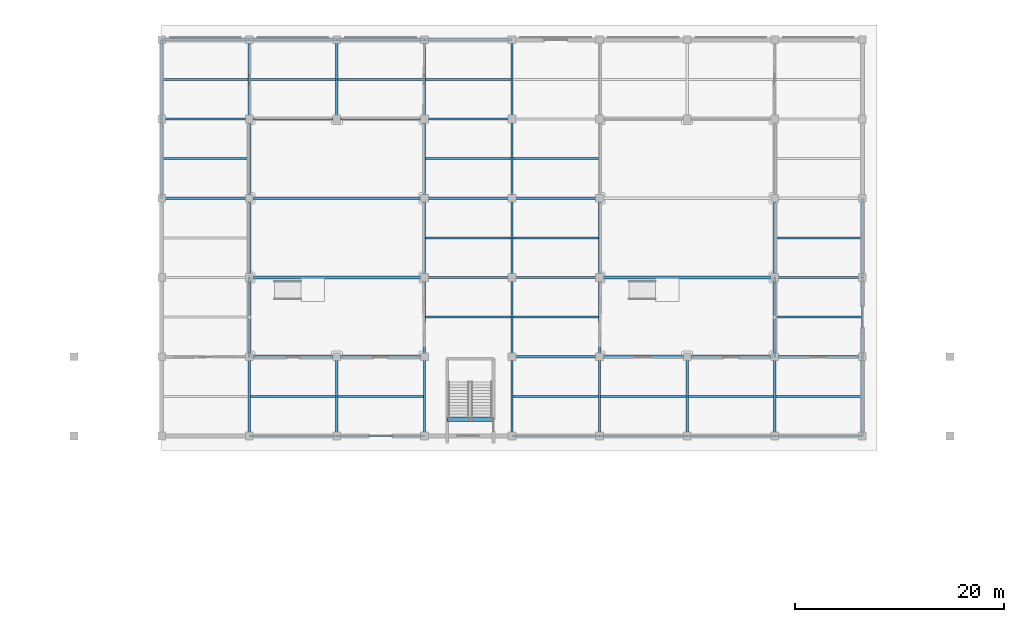
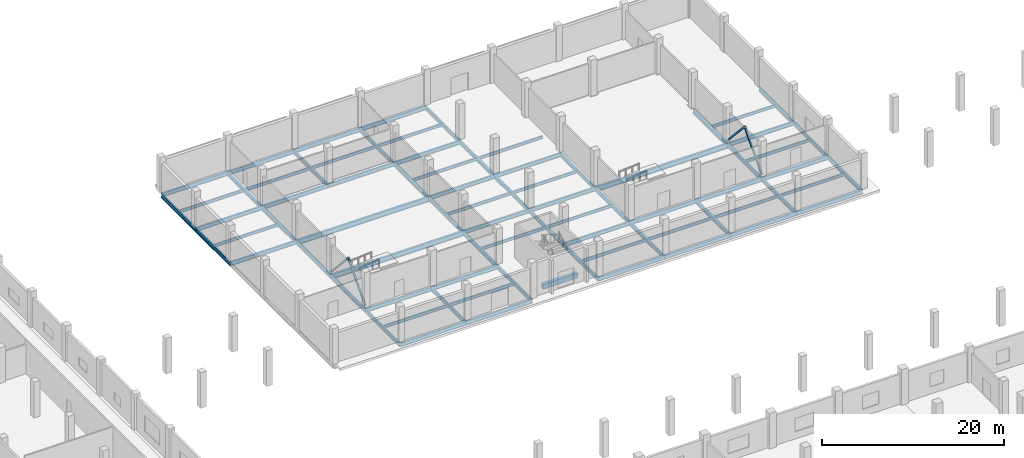
# One storey, part 9 of 36: 78 beams, 4 members.
"""IFC4 building model written with IfcOpenShell, lengths in metres."""

from ifc_helpers import new_model, si_unit, direction, frame, origin, origin_2d, place, context, subcontext, project, spatial, rectangle, hollow_rectangle, i_section, extrude, material, material_profile, profile_set, type_object, element, save


model = new_model("IFC4")

# Units and contexts
model_context = context("Model", 3, precision=1e-05, world=origin(), true_north=direction((0.0, 1.0)))
body_context = subcontext(model_context, "Body", "Model", "MODEL_VIEW")
ifc_project = project(units=[si_unit("LENGTHUNIT", "METRE"), si_unit("AREAUNIT", "SQUARE_METRE"), si_unit("VOLUMEUNIT", "CUBIC_METRE"), si_unit("PLANEANGLEUNIT", "RADIAN"), si_unit("MASSUNIT", "GRAM", prefix="KILO")], contexts=[model_context])

# Site, building, storey
site_placement = place(None, origin())
site = spatial("IfcSite", under=ifc_project, at=site_placement, CompositionType="ELEMENT")
building_placement = place(site_placement, origin())
building = spatial("IfcBuilding", under=site, at=building_placement, Name="Zuvorla Pavilion Media Centre", CompositionType="ELEMENT")
storey_placement = place(building_placement, origin())
storey = spatial("IfcBuildingStorey", under=building, at=storey_placement, Name="L00", CompositionType="ELEMENT", Elevation=0.0)

# Beams
ifc_material_1 = material(Name="Concrete C40/50", Category="concrete")
ifc_material_profile_1 = material_profile(ifc_material_1, rectangle(XDim=0.39990234375, YDim=0.64990234375, at=origin_2d()), Name="RC 400x650")
ifc_profile_set_1 = profile_set([ifc_material_profile_1], Name="Concrete C40/50")
beam_type_1 = type_object("IfcBeamType", Name="BM-RC-650", PredefinedType="BEAM", material=ifc_profile_set_1)
beam_1_placement = place(storey_placement, frame((94.179931640625, 83.570068359375, -0.323974609375), z_axis=(1.0, 0.0, 0.0), x_axis=(0.0, 1.0, 0.0)))
element("IfcBeam", 1, at=beam_1_placement, inside=storey, type_object=beam_type_1, Name="L00 ST-05 landing trimmer beam", PredefinedType="BEAM", context=body_context, shape_type="SweptSolid", body=[
    extrude(rectangle(XDim=0.39990234375, YDim=0.64990234375, at=origin_2d()), origin(), (0.0, 0.0, 1.0), 4.440185546875),
])
ifc_material_2 = material(Name="Steel S355", Category="steel")
ifc_material_profile_2 = material_profile(ifc_material_2, i_section(OverallWidth=0.1787109375, OverallDepth=0.409423828125, WebThickness=0.0087890625, FlangeThickness=0.014404296875, FilletRadius=0.01025390625, at=origin_2d()), Name="UB 406x178x67")
ifc_profile_set_2 = profile_set([ifc_material_profile_2], Name="Steel S355")
beam_type_2 = type_object("IfcBeamType", Name="BM-UB406", PredefinedType="JOIST", material=ifc_profile_set_2)
for number, where, z_axis, x_axis, name in (
    (2, (66.89990234375, 108.60009765625, -0.53271484375), (1.0, 0.0, 0.0), (0.0, 1.0, 0.0), "L00 joist J02 368"),
    (3, (66.89990234375, 116.199951171875, -0.53271484375), (1.0, 0.0, 0.0), (0.0, 1.0, 0.0), "L00 joist J02 369"),
):
    element("IfcBeam", number, at=place(storey_placement, frame(where, z_axis=z_axis, x_axis=x_axis)), inside=storey, type_object=beam_type_2, Name=name, PredefinedType="JOIST", context=body_context, shape_type="SweptSolid", body=[
        extrude(i_section(OverallWidth=0.1787109375, OverallDepth=0.409423828125, WebThickness=0.0087890625, FlangeThickness=0.014404296875, FilletRadius=0.01025390625, at=origin_2d()), origin(), (0.0, 0.0, 1.0), 8.2001953125),
    ])
for number, where, z_axis, x_axis, name in (
    (4, (75.300048828125, 85.800048828125, -0.53271484375), (1.0, 0.0, 0.0), (0.0, 1.0, 0.0), "L00 joist J02 372"),
    (5, (75.300048828125, 116.199951171875, -0.53271484375), (1.0, 0.0, 0.0), (0.0, 1.0, 0.0), "L00 joist J02 373"),
    (6, (83.699951171875, 85.800048828125, -0.53271484375), (1.0, 0.0, 0.0), (0.0, 1.0, 0.0), "L00 joist J02 379"),
    (7, (83.699951171875, 116.199951171875, -0.53271484375), (1.0, 0.0, 0.0), (0.0, 1.0, 0.0), "L00 joist J02 380"),
    (8, (92.10009765625, 93.39990234375, -0.53271484375), (1.0, 0.0, 0.0), (0.0, 1.0, 0.0), "L00 joist J02 384"),
    (9, (92.10009765625, 101.0, -0.53271484375), (1.0, 0.0, 0.0), (0.0, 1.0, 0.0), "L00 joist J02 385"),
    (10, (92.10009765625, 108.60009765625, -0.53271484375), (1.0, 0.0, 0.0), (0.0, 1.0, 0.0), "L00 joist J02 386"),
    (11, (92.10009765625, 116.199951171875, -0.53271484375), (1.0, 0.0, 0.0), (0.0, 1.0, 0.0), "L00 joist J02 387"),
    (12, (100.5, 85.800048828125, -0.53271484375), (1.0, 0.0, 0.0), (0.0, 1.0, 0.0), "L00 joist J02 392"),
    (13, (100.5, 93.39990234375, -0.53271484375), (1.0, 0.0, 0.0), (0.0, 1.0, 0.0), "L00 joist J02 393"),
    (14, (100.5, 101.0, -0.53271484375), (1.0, 0.0, 0.0), (0.0, 1.0, 0.0), "L00 joist J02 394"),
    (15, (100.5, 108.60009765625, -0.53271484375), (1.0, 0.0, 0.0), (0.0, 1.0, 0.0), "L00 joist J02 395"),
):
    element("IfcBeam", number, at=place(storey_placement, frame(where, z_axis=z_axis, x_axis=x_axis)), inside=storey, type_object=beam_type_2, Name=name, PredefinedType="JOIST", context=body_context, shape_type="SweptSolid", body=[
        extrude(i_section(OverallWidth=0.1787109375, OverallDepth=0.409423828125, WebThickness=0.0087890625, FlangeThickness=0.014404296875, FilletRadius=0.01025390625, at=origin_2d()), origin(), (0.0, 0.0, 1.0), 8.199951171875),
    ])
beam_2_placement = place(storey_placement, frame((108.89990234375, 85.800048828125, -0.53271484375), z_axis=(1.0, 0.0, 0.0), x_axis=(0.0, 1.0, 0.0)))
element("IfcBeam", 16, at=beam_2_placement, inside=storey, type_object=beam_type_2, Name="L00 joist J02 402", PredefinedType="JOIST", context=body_context, shape_type="SweptSolid", body=[
    extrude(i_section(OverallWidth=0.1787109375, OverallDepth=0.409423828125, WebThickness=0.0087890625, FlangeThickness=0.014404296875, FilletRadius=0.01025390625, at=origin_2d()), origin(), (0.0, 0.0, 1.0), 8.2001953125),
])
for number, where, z_axis, x_axis, name in (
    (17, (117.300048828125, 85.800048828125, -0.53271484375), (1.0, 0.0, 0.0), (0.0, 1.0, 0.0), "L00 joist J02 409"),
    (18, (125.699951171875, 85.800048828125, -0.53271484375), (1.0, 0.0, 0.0), (0.0, 1.0, 0.0), "L00 joist J02 413"),
    (19, (125.699951171875, 93.39990234375, -0.53271484375), (1.0, 0.0, 0.0), (0.0, 1.0, 0.0), "L00 joist J02 414"),
    (20, (125.699951171875, 101.0, -0.53271484375), (1.0, 0.0, 0.0), (0.0, 1.0, 0.0), "L00 joist J02 415"),
):
    element("IfcBeam", number, at=place(storey_placement, frame(where, z_axis=z_axis, x_axis=x_axis)), inside=storey, type_object=beam_type_2, Name=name, PredefinedType="JOIST", context=body_context, shape_type="SweptSolid", body=[
        extrude(i_section(OverallWidth=0.1787109375, OverallDepth=0.409423828125, WebThickness=0.0087890625, FlangeThickness=0.014404296875, FilletRadius=0.01025390625, at=origin_2d()), origin(), (0.0, 0.0, 1.0), 8.199951171875),
    ])
ifc_material_profile_3 = material_profile(ifc_material_2, i_section(OverallWidth=0.2099609375, OverallDepth=0.53662109375, WebThickness=0.0107421875, FlangeThickness=0.017333984375, FilletRadius=0.0126953125, at=origin_2d()), Name="UB 533x210x101")
ifc_profile_set_3 = profile_set([ifc_material_profile_3], Name="Steel S355")
beam_type_3 = type_object("IfcBeamType", Name="BM-UB533", PredefinedType="BEAM", material=ifc_profile_set_3)
beam_3_placement = place(storey_placement, frame((75.199951171875, 82.0, -0.59619140625), z_axis=(1.0, 0.0, 0.0), x_axis=(0.0, 1.0, 0.0)))
element("IfcBeam", 21, at=beam_3_placement, inside=storey, type_object=beam_type_3, Name="L00 beam B08 108", PredefinedType="BEAM", context=body_context, shape_type="SweptSolid", body=[
    extrude(i_section(OverallWidth=0.2099609375, OverallDepth=0.53662109375, WebThickness=0.0107421875, FlangeThickness=0.017333984375, FilletRadius=0.0126953125, at=origin_2d()), origin(), (0.0, 0.0, 1.0), 8.400146484375),
])
beam_4_placement = place(storey_placement, frame((83.60009765625, 82.0, -0.59619140625), z_axis=(1.0, 0.0, 0.0), x_axis=(0.0, 1.0, 0.0)))
element("IfcBeam", 22, at=beam_4_placement, inside=storey, type_object=beam_type_3, Name="L00 beam B08 109", PredefinedType="BEAM", context=body_context, shape_type="SweptSolid", body=[
    extrude(i_section(OverallWidth=0.2099609375, OverallDepth=0.53662109375, WebThickness=0.0107421875, FlangeThickness=0.017333984375, FilletRadius=0.0126953125, at=origin_2d()), origin(), (0.0, 0.0, 1.0), 8.39990234375),
])
beam_5_placement = place(storey_placement, frame((100.39990234375, 82.0, -0.59619140625), z_axis=(1.0, 0.0, 0.0), x_axis=(0.0, 1.0, 0.0)))
element("IfcBeam", 23, at=beam_5_placement, inside=storey, type_object=beam_type_3, Name="L00 beam B08 110", PredefinedType="BEAM", context=body_context, shape_type="SweptSolid", body=[
    extrude(i_section(OverallWidth=0.2099609375, OverallDepth=0.53662109375, WebThickness=0.0107421875, FlangeThickness=0.017333984375, FilletRadius=0.0126953125, at=origin_2d()), origin(), (0.0, 0.0, 1.0), 8.400146484375),
])
beam_6_placement = place(storey_placement, frame((108.800048828125, 82.0, -0.59619140625), z_axis=(1.0, 0.0, 0.0), x_axis=(0.0, 1.0, 0.0)))
element("IfcBeam", 24, at=beam_6_placement, inside=storey, type_object=beam_type_3, Name="L00 beam B08 111", PredefinedType="BEAM", context=body_context, shape_type="SweptSolid", body=[
    extrude(i_section(OverallWidth=0.2099609375, OverallDepth=0.53662109375, WebThickness=0.0107421875, FlangeThickness=0.017333984375, FilletRadius=0.0126953125, at=origin_2d()), origin(), (0.0, 0.0, 1.0), 8.39990234375),
])
beam_7_placement = place(storey_placement, frame((117.199951171875, 82.0, -0.59619140625), z_axis=(1.0, 0.0, 0.0), x_axis=(0.0, 1.0, 0.0)))
element("IfcBeam", 25, at=beam_7_placement, inside=storey, type_object=beam_type_3, Name="L00 beam B08 112", PredefinedType="BEAM", context=body_context, shape_type="SweptSolid", body=[
    extrude(i_section(OverallWidth=0.2099609375, OverallDepth=0.53662109375, WebThickness=0.0107421875, FlangeThickness=0.017333984375, FilletRadius=0.0126953125, at=origin_2d()), origin(), (0.0, 0.0, 1.0), 8.400146484375),
])
beam_8_placement = place(storey_placement, frame((125.60009765625, 82.0, -0.59619140625), z_axis=(1.0, 0.0, 0.0), x_axis=(0.0, 1.0, 0.0)))
element("IfcBeam", 26, at=beam_8_placement, inside=storey, type_object=beam_type_3, Name="L00 beam B08 113", PredefinedType="BEAM", context=body_context, shape_type="SweptSolid", body=[
    extrude(i_section(OverallWidth=0.2099609375, OverallDepth=0.53662109375, WebThickness=0.0107421875, FlangeThickness=0.017333984375, FilletRadius=0.0126953125, at=origin_2d()), origin(), (0.0, 0.0, 1.0), 8.39990234375),
])
beam_9_placement = place(storey_placement, frame((75.199951171875, 89.60009765625, -0.59619140625), z_axis=(1.0, 0.0, 0.0), x_axis=(0.0, 1.0, 0.0)))
element("IfcBeam", 27, at=beam_9_placement, inside=storey, type_object=beam_type_3, Name="L00 beam B08 117", PredefinedType="BEAM", context=body_context, shape_type="SweptSolid", body=[
    extrude(i_section(OverallWidth=0.2099609375, OverallDepth=0.53662109375, WebThickness=0.0107421875, FlangeThickness=0.017333984375, FilletRadius=0.0126953125, at=origin_2d()), origin(), (0.0, 0.0, 1.0), 8.400146484375),
])
beam_10_placement = place(storey_placement, frame((83.60009765625, 89.60009765625, -0.59619140625), z_axis=(1.0, 0.0, 0.0), x_axis=(0.0, 1.0, 0.0)))
element("IfcBeam", 28, at=beam_10_placement, inside=storey, type_object=beam_type_3, Name="L00 beam B08 118", PredefinedType="BEAM", context=body_context, shape_type="SweptSolid", body=[
    extrude(i_section(OverallWidth=0.2099609375, OverallDepth=0.53662109375, WebThickness=0.0107421875, FlangeThickness=0.017333984375, FilletRadius=0.0126953125, at=origin_2d()), origin(), (0.0, 0.0, 1.0), 8.39990234375),
])
beam_11_placement = place(storey_placement, frame((100.39990234375, 89.60009765625, -0.59619140625), z_axis=(1.0, 0.0, 0.0), x_axis=(0.0, 1.0, 0.0)))
element("IfcBeam", 29, at=beam_11_placement, inside=storey, type_object=beam_type_3, Name="L00 beam B08 119", PredefinedType="BEAM", context=body_context, shape_type="SweptSolid", body=[
    extrude(i_section(OverallWidth=0.2099609375, OverallDepth=0.53662109375, WebThickness=0.0107421875, FlangeThickness=0.017333984375, FilletRadius=0.0126953125, at=origin_2d()), origin(), (0.0, 0.0, 1.0), 8.400146484375),
])
beam_12_placement = place(storey_placement, frame((108.800048828125, 89.60009765625, -0.59619140625), z_axis=(1.0, 0.0, 0.0), x_axis=(0.0, 1.0, 0.0)))
element("IfcBeam", 30, at=beam_12_placement, inside=storey, type_object=beam_type_3, Name="L00 beam B08 120", PredefinedType="BEAM", context=body_context, shape_type="SweptSolid", body=[
    extrude(i_section(OverallWidth=0.2099609375, OverallDepth=0.53662109375, WebThickness=0.0107421875, FlangeThickness=0.017333984375, FilletRadius=0.0126953125, at=origin_2d()), origin(), (0.0, 0.0, 1.0), 8.39990234375),
])
beam_13_placement = place(storey_placement, frame((117.199951171875, 89.60009765625, -0.59619140625), z_axis=(1.0, 0.0, 0.0), x_axis=(0.0, 1.0, 0.0)))
element("IfcBeam", 31, at=beam_13_placement, inside=storey, type_object=beam_type_3, Name="L00 beam B08 121", PredefinedType="BEAM", context=body_context, shape_type="SweptSolid", body=[
    extrude(i_section(OverallWidth=0.2099609375, OverallDepth=0.53662109375, WebThickness=0.0107421875, FlangeThickness=0.017333984375, FilletRadius=0.0126953125, at=origin_2d()), origin(), (0.0, 0.0, 1.0), 8.400146484375),
])
for number, where, z_axis, x_axis, name in (
    (32, (125.60009765625, 89.60009765625, -0.59619140625), (1.0, 0.0, 0.0), (0.0, 1.0, 0.0), "L00 beam B08 122"),
    (33, (92.0, 97.199951171875, -0.59619140625), (1.0, 0.0, 0.0), (0.0, 1.0, 0.0), "L00 beam B08 127"),
):
    element("IfcBeam", number, at=place(storey_placement, frame(where, z_axis=z_axis, x_axis=x_axis)), inside=storey, type_object=beam_type_3, Name=name, PredefinedType="BEAM", context=body_context, shape_type="SweptSolid", body=[
        extrude(i_section(OverallWidth=0.2099609375, OverallDepth=0.53662109375, WebThickness=0.0107421875, FlangeThickness=0.017333984375, FilletRadius=0.0126953125, at=origin_2d()), origin(), (0.0, 0.0, 1.0), 8.39990234375),
    ])
beam_14_placement = place(storey_placement, frame((100.39990234375, 97.199951171875, -0.59619140625), z_axis=(1.0, 0.0, 0.0), x_axis=(0.0, 1.0, 0.0)))
element("IfcBeam", 34, at=beam_14_placement, inside=storey, type_object=beam_type_3, Name="L00 beam B08 128", PredefinedType="BEAM", context=body_context, shape_type="SweptSolid", body=[
    extrude(i_section(OverallWidth=0.2099609375, OverallDepth=0.53662109375, WebThickness=0.0107421875, FlangeThickness=0.017333984375, FilletRadius=0.0126953125, at=origin_2d()), origin(), (0.0, 0.0, 1.0), 8.400146484375),
])
for number, where, z_axis, x_axis, name in (
    (35, (125.60009765625, 97.199951171875, -0.59619140625), (1.0, 0.0, 0.0), (0.0, 1.0, 0.0), "L00 beam B08 130"),
    (36, (66.800048828125, 104.800048828125, -0.59619140625), (1.0, 0.0, 0.0), (0.0, 1.0, 0.0), "L00 beam B08 133"),
    (37, (92.0, 104.800048828125, -0.59619140625), (1.0, 0.0, 0.0), (0.0, 1.0, 0.0), "L00 beam B08 135"),
):
    element("IfcBeam", number, at=place(storey_placement, frame(where, z_axis=z_axis, x_axis=x_axis)), inside=storey, type_object=beam_type_3, Name=name, PredefinedType="BEAM", context=body_context, shape_type="SweptSolid", body=[
        extrude(i_section(OverallWidth=0.2099609375, OverallDepth=0.53662109375, WebThickness=0.0107421875, FlangeThickness=0.017333984375, FilletRadius=0.0126953125, at=origin_2d()), origin(), (0.0, 0.0, 1.0), 8.39990234375),
    ])
beam_15_placement = place(storey_placement, frame((100.39990234375, 104.800048828125, -0.59619140625), z_axis=(1.0, 0.0, 0.0), x_axis=(0.0, 1.0, 0.0)))
element("IfcBeam", 38, at=beam_15_placement, inside=storey, type_object=beam_type_3, Name="L00 beam B08 136", PredefinedType="BEAM", context=body_context, shape_type="SweptSolid", body=[
    extrude(i_section(OverallWidth=0.2099609375, OverallDepth=0.53662109375, WebThickness=0.0107421875, FlangeThickness=0.017333984375, FilletRadius=0.0126953125, at=origin_2d()), origin(), (0.0, 0.0, 1.0), 8.400146484375),
])
beam_16_placement = place(storey_placement, frame((66.800048828125, 112.39990234375, -0.59619140625), z_axis=(1.0, 0.0, 0.0), x_axis=(0.0, 1.0, 0.0)))
element("IfcBeam", 39, at=beam_16_placement, inside=storey, type_object=beam_type_3, Name="L00 beam B08 141", PredefinedType="BEAM", context=body_context, shape_type="SweptSolid", body=[
    extrude(i_section(OverallWidth=0.2099609375, OverallDepth=0.53662109375, WebThickness=0.0107421875, FlangeThickness=0.017333984375, FilletRadius=0.0126953125, at=origin_2d()), origin(), (0.0, 0.0, 1.0), 8.39990234375),
])
beam_17_placement = place(storey_placement, frame((75.199951171875, 112.39990234375, -0.59619140625), z_axis=(1.0, 0.0, 0.0), x_axis=(0.0, 1.0, 0.0)))
element("IfcBeam", 40, at=beam_17_placement, inside=storey, type_object=beam_type_3, Name="L00 beam B08 142", PredefinedType="BEAM", context=body_context, shape_type="SweptSolid", body=[
    extrude(i_section(OverallWidth=0.2099609375, OverallDepth=0.53662109375, WebThickness=0.0107421875, FlangeThickness=0.017333984375, FilletRadius=0.0126953125, at=origin_2d()), origin(), (0.0, 0.0, 1.0), 8.400146484375),
])
for number, where, z_axis, x_axis, name in (
    (41, (83.60009765625, 112.39990234375, -0.59619140625), (1.0, 0.0, 0.0), (0.0, 1.0, 0.0), "L00 beam B08 143"),
    (42, (92.0, 112.39990234375, -0.59619140625), (1.0, 0.0, 0.0), (0.0, 1.0, 0.0), "L00 beam B08 144"),
    (43, (66.800048828125, 120.0, -0.59619140625), (1.0, 0.0, 0.0), (0.0, 1.0, 0.0), "L00 beam B08 151"),
):
    element("IfcBeam", number, at=place(storey_placement, frame(where, z_axis=z_axis, x_axis=x_axis)), inside=storey, type_object=beam_type_3, Name=name, PredefinedType="BEAM", context=body_context, shape_type="SweptSolid", body=[
        extrude(i_section(OverallWidth=0.2099609375, OverallDepth=0.53662109375, WebThickness=0.0107421875, FlangeThickness=0.017333984375, FilletRadius=0.0126953125, at=origin_2d()), origin(), (0.0, 0.0, 1.0), 8.39990234375),
    ])
beam_18_placement = place(storey_placement, frame((75.199951171875, 120.0, -0.59619140625), z_axis=(1.0, 0.0, 0.0), x_axis=(0.0, 1.0, 0.0)))
element("IfcBeam", 44, at=beam_18_placement, inside=storey, type_object=beam_type_3, Name="L00 beam B08 152", PredefinedType="BEAM", context=body_context, shape_type="SweptSolid", body=[
    extrude(i_section(OverallWidth=0.2099609375, OverallDepth=0.53662109375, WebThickness=0.0107421875, FlangeThickness=0.017333984375, FilletRadius=0.0126953125, at=origin_2d()), origin(), (0.0, 0.0, 1.0), 8.400146484375),
])
for number, where, z_axis, x_axis, name in (
    (45, (83.60009765625, 120.0, -0.59619140625), (1.0, 0.0, 0.0), (0.0, 1.0, 0.0), "L00 beam B08 153"),
    (46, (92.0, 120.0, -0.59619140625), (1.0, 0.0, 0.0), (0.0, 1.0, 0.0), "L00 beam B08 154"),
):
    element("IfcBeam", number, at=place(storey_placement, frame(where, z_axis=z_axis, x_axis=x_axis)), inside=storey, type_object=beam_type_3, Name=name, PredefinedType="BEAM", context=body_context, shape_type="SweptSolid", body=[
        extrude(i_section(OverallWidth=0.2099609375, OverallDepth=0.53662109375, WebThickness=0.0107421875, FlangeThickness=0.017333984375, FilletRadius=0.0126953125, at=origin_2d()), origin(), (0.0, 0.0, 1.0), 8.39990234375),
    ])
beam_19_placement = place(storey_placement, frame((66.800048828125, 104.800048828125, -0.59619140625), z_axis=(0.0, 1.0, 0.0), x_axis=(-1.0, 0.0, 0.0)))
element("IfcBeam", 47, at=beam_19_placement, inside=storey, type_object=beam_type_3, Name="L00 beam B08 231", PredefinedType="BEAM", context=body_context, shape_type="SweptSolid", body=[
    extrude(i_section(OverallWidth=0.2099609375, OverallDepth=0.53662109375, WebThickness=0.0107421875, FlangeThickness=0.017333984375, FilletRadius=0.0126953125, at=origin_2d()), origin(), (0.0, 0.0, 1.0), 7.599853515625),
])
for number, where, z_axis, x_axis, name in (
    (48, (66.800048828125, 112.39990234375, -0.59619140625), (0.0, 1.0, 0.0), (-1.0, 0.0, 0.0), "L00 beam B08 232"),
    (49, (75.199951171875, 82.0, -0.59619140625), (0.0, 1.0, 0.0), (-1.0, 0.0, 0.0), "L00 beam B08 235"),
):
    element("IfcBeam", number, at=place(storey_placement, frame(where, z_axis=z_axis, x_axis=x_axis)), inside=storey, type_object=beam_type_3, Name=name, PredefinedType="BEAM", context=body_context, shape_type="SweptSolid", body=[
        extrude(i_section(OverallWidth=0.2099609375, OverallDepth=0.53662109375, WebThickness=0.0107421875, FlangeThickness=0.017333984375, FilletRadius=0.0126953125, at=origin_2d()), origin(), (0.0, 0.0, 1.0), 7.60009765625),
    ])
beam_20_placement = place(storey_placement, frame((75.199951171875, 89.60009765625, -0.59619140625), z_axis=(0.0, 1.0, 0.0), x_axis=(-1.0, 0.0, 0.0)))
element("IfcBeam", 50, at=beam_20_placement, inside=storey, type_object=beam_type_3, Name="L00 beam B08 236", PredefinedType="BEAM", context=body_context, shape_type="SweptSolid", body=[
    extrude(i_section(OverallWidth=0.2099609375, OverallDepth=0.53662109375, WebThickness=0.0107421875, FlangeThickness=0.017333984375, FilletRadius=0.0126953125, at=origin_2d()), origin(), (0.0, 0.0, 1.0), 7.599853515625),
])
beam_21_placement = place(storey_placement, frame((75.199951171875, 97.199951171875, -0.59619140625), z_axis=(0.0, 1.0, 0.0), x_axis=(-1.0, 0.0, 0.0)))
element("IfcBeam", 51, at=beam_21_placement, inside=storey, type_object=beam_type_3, Name="L00 beam B08 237", PredefinedType="BEAM", context=body_context, shape_type="SweptSolid", body=[
    extrude(i_section(OverallWidth=0.2099609375, OverallDepth=0.53662109375, WebThickness=0.0107421875, FlangeThickness=0.017333984375, FilletRadius=0.0126953125, at=origin_2d()), origin(), (0.0, 0.0, 1.0), 7.60009765625),
])
beam_22_placement = place(storey_placement, frame((75.199951171875, 104.800048828125, -0.59619140625), z_axis=(0.0, 1.0, 0.0), x_axis=(-1.0, 0.0, 0.0)))
element("IfcBeam", 52, at=beam_22_placement, inside=storey, type_object=beam_type_3, Name="L00 beam B08 238", PredefinedType="BEAM", context=body_context, shape_type="SweptSolid", body=[
    extrude(i_section(OverallWidth=0.2099609375, OverallDepth=0.53662109375, WebThickness=0.0107421875, FlangeThickness=0.017333984375, FilletRadius=0.0126953125, at=origin_2d()), origin(), (0.0, 0.0, 1.0), 7.599853515625),
])
for number, where, z_axis, x_axis, name in (
    (53, (75.199951171875, 112.39990234375, -0.59619140625), (0.0, 1.0, 0.0), (-1.0, 0.0, 0.0), "L00 beam B08 239"),
    (54, (83.60009765625, 82.0, -0.59619140625), (0.0, 1.0, 0.0), (-1.0, 0.0, 0.0), "L00 beam B08 245"),
    (55, (83.60009765625, 112.39990234375, -0.59619140625), (0.0, 1.0, 0.0), (-1.0, 0.0, 0.0), "L00 beam B08 246"),
    (56, (92.0, 82.0, -0.59619140625), (0.0, 1.0, 0.0), (-1.0, 0.0, 0.0), "L00 beam B08 252"),
):
    element("IfcBeam", number, at=place(storey_placement, frame(where, z_axis=z_axis, x_axis=x_axis)), inside=storey, type_object=beam_type_3, Name=name, PredefinedType="BEAM", context=body_context, shape_type="SweptSolid", body=[
        extrude(i_section(OverallWidth=0.2099609375, OverallDepth=0.53662109375, WebThickness=0.0107421875, FlangeThickness=0.017333984375, FilletRadius=0.0126953125, at=origin_2d()), origin(), (0.0, 0.0, 1.0), 7.60009765625),
    ])
beam_23_placement = place(storey_placement, frame((92.0, 89.60009765625, -0.59619140625), z_axis=(0.0, 1.0, 0.0), x_axis=(-1.0, 0.0, 0.0)))
element("IfcBeam", 57, at=beam_23_placement, inside=storey, type_object=beam_type_3, Name="L00 beam B08 253", PredefinedType="BEAM", context=body_context, shape_type="SweptSolid", body=[
    extrude(i_section(OverallWidth=0.2099609375, OverallDepth=0.53662109375, WebThickness=0.0107421875, FlangeThickness=0.017333984375, FilletRadius=0.0126953125, at=origin_2d()), origin(), (0.0, 0.0, 1.0), 7.599853515625),
])
beam_24_placement = place(storey_placement, frame((92.0, 97.199951171875, -0.59619140625), z_axis=(0.0, 1.0, 0.0), x_axis=(-1.0, 0.0, 0.0)))
element("IfcBeam", 58, at=beam_24_placement, inside=storey, type_object=beam_type_3, Name="L00 beam B08 254", PredefinedType="BEAM", context=body_context, shape_type="SweptSolid", body=[
    extrude(i_section(OverallWidth=0.2099609375, OverallDepth=0.53662109375, WebThickness=0.0107421875, FlangeThickness=0.017333984375, FilletRadius=0.0126953125, at=origin_2d()), origin(), (0.0, 0.0, 1.0), 7.60009765625),
])
beam_25_placement = place(storey_placement, frame((92.0, 104.800048828125, -0.59619140625), z_axis=(0.0, 1.0, 0.0), x_axis=(-1.0, 0.0, 0.0)))
element("IfcBeam", 59, at=beam_25_placement, inside=storey, type_object=beam_type_3, Name="L00 beam B08 255", PredefinedType="BEAM", context=body_context, shape_type="SweptSolid", body=[
    extrude(i_section(OverallWidth=0.2099609375, OverallDepth=0.53662109375, WebThickness=0.0107421875, FlangeThickness=0.017333984375, FilletRadius=0.0126953125, at=origin_2d()), origin(), (0.0, 0.0, 1.0), 7.599853515625),
])
for number, where, z_axis, x_axis, name in (
    (60, (92.0, 112.39990234375, -0.59619140625), (0.0, 1.0, 0.0), (-1.0, 0.0, 0.0), "L00 beam B08 256"),
    (61, (100.39990234375, 82.0, -0.59619140625), (0.0, 1.0, 0.0), (-1.0, 0.0, 0.0), "L00 beam B08 262"),
):
    element("IfcBeam", number, at=place(storey_placement, frame(where, z_axis=z_axis, x_axis=x_axis)), inside=storey, type_object=beam_type_3, Name=name, PredefinedType="BEAM", context=body_context, shape_type="SweptSolid", body=[
        extrude(i_section(OverallWidth=0.2099609375, OverallDepth=0.53662109375, WebThickness=0.0107421875, FlangeThickness=0.017333984375, FilletRadius=0.0126953125, at=origin_2d()), origin(), (0.0, 0.0, 1.0), 7.60009765625),
    ])
beam_26_placement = place(storey_placement, frame((100.39990234375, 89.60009765625, -0.59619140625), z_axis=(0.0, 1.0, 0.0), x_axis=(-1.0, 0.0, 0.0)))
element("IfcBeam", 62, at=beam_26_placement, inside=storey, type_object=beam_type_3, Name="L00 beam B08 263", PredefinedType="BEAM", context=body_context, shape_type="SweptSolid", body=[
    extrude(i_section(OverallWidth=0.2099609375, OverallDepth=0.53662109375, WebThickness=0.0107421875, FlangeThickness=0.017333984375, FilletRadius=0.0126953125, at=origin_2d()), origin(), (0.0, 0.0, 1.0), 7.599853515625),
])
beam_27_placement = place(storey_placement, frame((100.39990234375, 97.199951171875, -0.59619140625), z_axis=(0.0, 1.0, 0.0), x_axis=(-1.0, 0.0, 0.0)))
element("IfcBeam", 63, at=beam_27_placement, inside=storey, type_object=beam_type_3, Name="L00 beam B08 264", PredefinedType="BEAM", context=body_context, shape_type="SweptSolid", body=[
    extrude(i_section(OverallWidth=0.2099609375, OverallDepth=0.53662109375, WebThickness=0.0107421875, FlangeThickness=0.017333984375, FilletRadius=0.0126953125, at=origin_2d()), origin(), (0.0, 0.0, 1.0), 7.60009765625),
])
beam_28_placement = place(storey_placement, frame((100.39990234375, 104.800048828125, -0.59619140625), z_axis=(0.0, 1.0, 0.0), x_axis=(-1.0, 0.0, 0.0)))
element("IfcBeam", 64, at=beam_28_placement, inside=storey, type_object=beam_type_3, Name="L00 beam B08 265", PredefinedType="BEAM", context=body_context, shape_type="SweptSolid", body=[
    extrude(i_section(OverallWidth=0.2099609375, OverallDepth=0.53662109375, WebThickness=0.0107421875, FlangeThickness=0.017333984375, FilletRadius=0.0126953125, at=origin_2d()), origin(), (0.0, 0.0, 1.0), 7.599853515625),
])
for number, where, z_axis, x_axis, name in (
    (65, (100.39990234375, 112.39990234375, -0.59619140625), (0.0, 1.0, 0.0), (-1.0, 0.0, 0.0), "L00 beam B08 266"),
    (66, (108.800048828125, 82.0, -0.59619140625), (0.0, 1.0, 0.0), (-1.0, 0.0, 0.0), "L00 beam B08 272"),
):
    element("IfcBeam", number, at=place(storey_placement, frame(where, z_axis=z_axis, x_axis=x_axis)), inside=storey, type_object=beam_type_3, Name=name, PredefinedType="BEAM", context=body_context, shape_type="SweptSolid", body=[
        extrude(i_section(OverallWidth=0.2099609375, OverallDepth=0.53662109375, WebThickness=0.0107421875, FlangeThickness=0.017333984375, FilletRadius=0.0126953125, at=origin_2d()), origin(), (0.0, 0.0, 1.0), 7.60009765625),
    ])
beam_29_placement = place(storey_placement, frame((108.800048828125, 89.60009765625, -0.59619140625), z_axis=(0.0, 1.0, 0.0), x_axis=(-1.0, 0.0, 0.0)))
element("IfcBeam", 67, at=beam_29_placement, inside=storey, type_object=beam_type_3, Name="L00 beam B08 273", PredefinedType="BEAM", context=body_context, shape_type="SweptSolid", body=[
    extrude(i_section(OverallWidth=0.2099609375, OverallDepth=0.53662109375, WebThickness=0.0107421875, FlangeThickness=0.017333984375, FilletRadius=0.0126953125, at=origin_2d()), origin(), (0.0, 0.0, 1.0), 7.599853515625),
])
for number, where, z_axis, x_axis, name in (
    (68, (108.800048828125, 97.199951171875, -0.59619140625), (0.0, 1.0, 0.0), (-1.0, 0.0, 0.0), "L00 beam B08 274"),
    (69, (117.199951171875, 82.0, -0.59619140625), (0.0, 1.0, 0.0), (-1.0, 0.0, 0.0), "L00 beam B08 282"),
    (70, (125.60009765625, 82.0, -0.59619140625), (0.0, 1.0, 0.0), (-1.0, 0.0, 0.0), "L00 beam B08 289"),
):
    element("IfcBeam", number, at=place(storey_placement, frame(where, z_axis=z_axis, x_axis=x_axis)), inside=storey, type_object=beam_type_3, Name=name, PredefinedType="BEAM", context=body_context, shape_type="SweptSolid", body=[
        extrude(i_section(OverallWidth=0.2099609375, OverallDepth=0.53662109375, WebThickness=0.0107421875, FlangeThickness=0.017333984375, FilletRadius=0.0126953125, at=origin_2d()), origin(), (0.0, 0.0, 1.0), 7.60009765625),
    ])
beam_30_placement = place(storey_placement, frame((125.60009765625, 89.60009765625, -0.59619140625), z_axis=(0.0, 1.0, 0.0), x_axis=(-1.0, 0.0, 0.0)))
element("IfcBeam", 71, at=beam_30_placement, inside=storey, type_object=beam_type_3, Name="L00 beam B08 290", PredefinedType="BEAM", context=body_context, shape_type="SweptSolid", body=[
    extrude(i_section(OverallWidth=0.2099609375, OverallDepth=0.53662109375, WebThickness=0.0107421875, FlangeThickness=0.017333984375, FilletRadius=0.0126953125, at=origin_2d()), origin(), (0.0, 0.0, 1.0), 7.599853515625),
])
for number, where, z_axis, x_axis, name in (
    (72, (125.60009765625, 97.199951171875, -0.59619140625), (0.0, 1.0, 0.0), (-1.0, 0.0, 0.0), "L00 beam B08 291"),
    (73, (134.0, 82.0, -0.59619140625), (0.0, 1.0, 0.0), (-1.0, 0.0, 0.0), "L00 beam B08 296"),
):
    element("IfcBeam", number, at=place(storey_placement, frame(where, z_axis=z_axis, x_axis=x_axis)), inside=storey, type_object=beam_type_3, Name=name, PredefinedType="BEAM", context=body_context, shape_type="SweptSolid", body=[
        extrude(i_section(OverallWidth=0.2099609375, OverallDepth=0.53662109375, WebThickness=0.0107421875, FlangeThickness=0.017333984375, FilletRadius=0.0126953125, at=origin_2d()), origin(), (0.0, 0.0, 1.0), 7.60009765625),
    ])
beam_31_placement = place(storey_placement, frame((134.0, 89.60009765625, -0.59619140625), z_axis=(0.0, 1.0, 0.0), x_axis=(-1.0, 0.0, 0.0)))
element("IfcBeam", 74, at=beam_31_placement, inside=storey, type_object=beam_type_3, Name="L00 beam B08 297", PredefinedType="BEAM", context=body_context, shape_type="SweptSolid", body=[
    extrude(i_section(OverallWidth=0.2099609375, OverallDepth=0.53662109375, WebThickness=0.0107421875, FlangeThickness=0.017333984375, FilletRadius=0.0126953125, at=origin_2d()), origin(), (0.0, 0.0, 1.0), 7.599853515625),
])
beam_32_placement = place(storey_placement, frame((134.0, 97.199951171875, -0.59619140625), z_axis=(0.0, 1.0, 0.0), x_axis=(-1.0, 0.0, 0.0)))
element("IfcBeam", 75, at=beam_32_placement, inside=storey, type_object=beam_type_3, Name="L00 beam B08 298", PredefinedType="BEAM", context=body_context, shape_type="SweptSolid", body=[
    extrude(i_section(OverallWidth=0.2099609375, OverallDepth=0.53662109375, WebThickness=0.0107421875, FlangeThickness=0.017333984375, FilletRadius=0.0126953125, at=origin_2d()), origin(), (0.0, 0.0, 1.0), 7.60009765625),
])
ifc_material_profile_4 = material_profile(ifc_material_2, i_section(OverallWidth=0.25439453125, OverallDepth=0.6875, WebThickness=0.01318359375, FlangeThickness=0.02099609375, FilletRadius=0.01513671875, at=origin_2d()), Name="UB 686x254x152")
ifc_profile_set_4 = profile_set([ifc_material_profile_4], Name="Steel S355")
beam_type_4 = type_object("IfcBeamType", Name="BM-UB686", PredefinedType="BEAM", material=ifc_profile_set_4)
for number, where, z_axis, x_axis, name in (
    (76, (75.199951171875, 97.199951171875, -0.671875), (1.0, 0.0, 0.0), (0.0, 1.0, 0.0), "L00 beam B06 126"),
    (77, (108.800048828125, 97.199951171875, -0.671875), (1.0, 0.0, 0.0), (0.0, 1.0, 0.0), "L00 beam B06 129"),
    (78, (75.199951171875, 104.800048828125, -0.671875), (1.0, 0.0, 0.0), (0.0, 1.0, 0.0), "L00 beam B06 134"),
):
    element("IfcBeam", number, at=place(storey_placement, frame(where, z_axis=z_axis, x_axis=x_axis)), inside=storey, type_object=beam_type_4, Name=name, PredefinedType="BEAM", context=body_context, shape_type="SweptSolid", body=[
        extrude(i_section(OverallWidth=0.25439453125, OverallDepth=0.6875, WebThickness=0.01318359375, FlangeThickness=0.02099609375, FilletRadius=0.01513671875, at=origin_2d()), origin(), (0.0, 0.0, 1.0), 16.800048828125),
    ])

# Members
ifc_material_profile_5 = material_profile(ifc_material_2, hollow_rectangle(XDim=0.199951171875, YDim=0.199951171875, WallThickness=0.010009765625, at=origin_2d()), Name="SHS 200x200x10")
ifc_profile_set_5 = profile_set([ifc_material_profile_5], Name="Steel S355")
member_type = type_object("IfcMemberType", Name="MEM-BRC-SHS200", PredefinedType="BRACE", material=ifc_profile_set_5)
member_1_placement = place(storey_placement, frame((75.199951171875, 89.60009765625, 0.0), z_axis=(0.0, 0.675311914463, 0.737532248911), x_axis=(-1.0, 0.0, 0.0)))
element("IfcMember", 79, at=member_1_placement, inside=storey, type_object=member_type, Name="L00 diagonal brace BF01 841", PredefinedType="BRACE", context=body_context, shape_type="SweptSolid", body=[
    extrude(hollow_rectangle(XDim=0.199951171875, YDim=0.199951171875, WallThickness=0.010009765625, at=origin_2d()), origin(), (0.0, 0.0, 1.0), 5.626708984375),
])
member_2_placement = place(storey_placement, frame((75.199951171875, 97.199951171875, 0.0), z_axis=(0.0, -0.675335515231, 0.737510638477), x_axis=(1.0, 0.0, 0.0)))
element("IfcMember", 80, at=member_2_placement, inside=storey, type_object=member_type, Name="L00 diagonal brace BF01 842", PredefinedType="BRACE", context=body_context, shape_type="SweptSolid", body=[
    extrude(hollow_rectangle(XDim=0.199951171875, YDim=0.199951171875, WallThickness=0.010009765625, at=origin_2d()), origin(), (0.0, 0.0, 1.0), 5.626953125),
])
member_3_placement = place(storey_placement, frame((125.60009765625, 89.60009765625, 0.0), z_axis=(0.0, 0.675311914463, 0.737532248911), x_axis=(-1.0, 0.0, 0.0)))
element("IfcMember", 81, at=member_3_placement, inside=storey, type_object=member_type, Name="L00 diagonal brace BF01 845", PredefinedType="BRACE", context=body_context, shape_type="SweptSolid", body=[
    extrude(hollow_rectangle(XDim=0.199951171875, YDim=0.199951171875, WallThickness=0.010009765625, at=origin_2d()), origin(), (0.0, 0.0, 1.0), 5.626708984375),
])
member_4_placement = place(storey_placement, frame((125.60009765625, 97.199951171875, 0.0), z_axis=(0.0, -0.675335515231, 0.737510638477), x_axis=(1.0, 0.0, 0.0)))
element("IfcMember", 82, at=member_4_placement, inside=storey, type_object=member_type, Name="L00 diagonal brace BF01 846", PredefinedType="BRACE", context=body_context, shape_type="SweptSolid", body=[
    extrude(hollow_rectangle(XDim=0.199951171875, YDim=0.199951171875, WallThickness=0.010009765625, at=origin_2d()), origin(), (0.0, 0.0, 1.0), 5.626953125),
])

save(model, "model.ifc")
